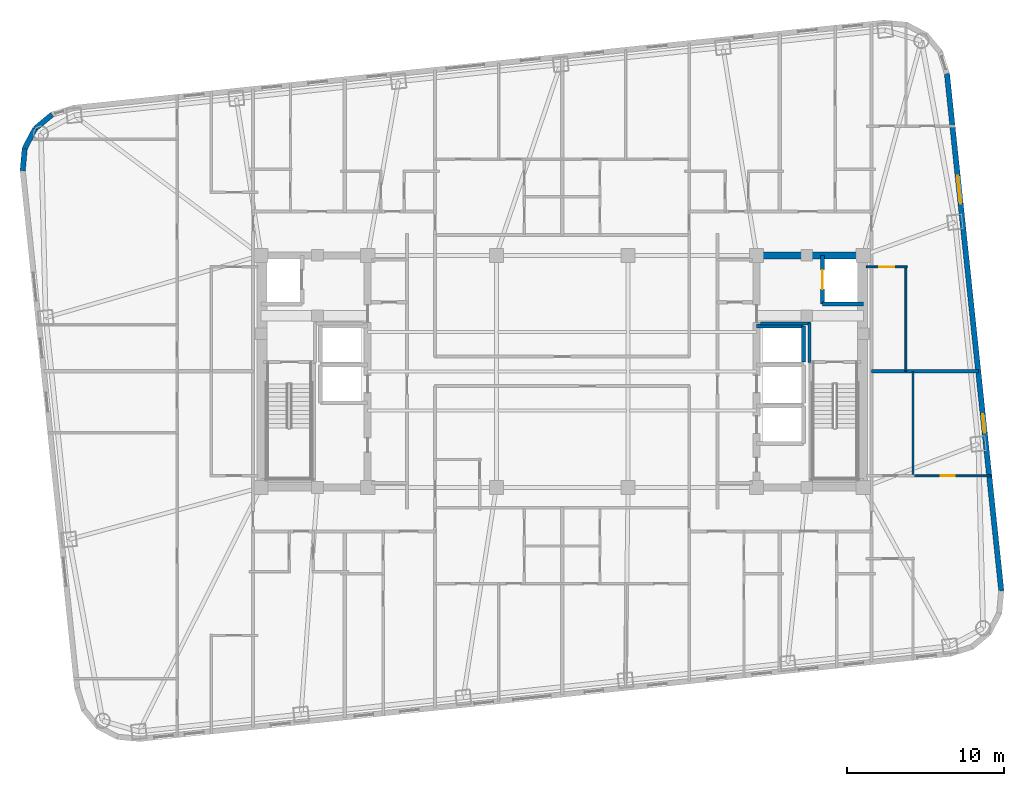
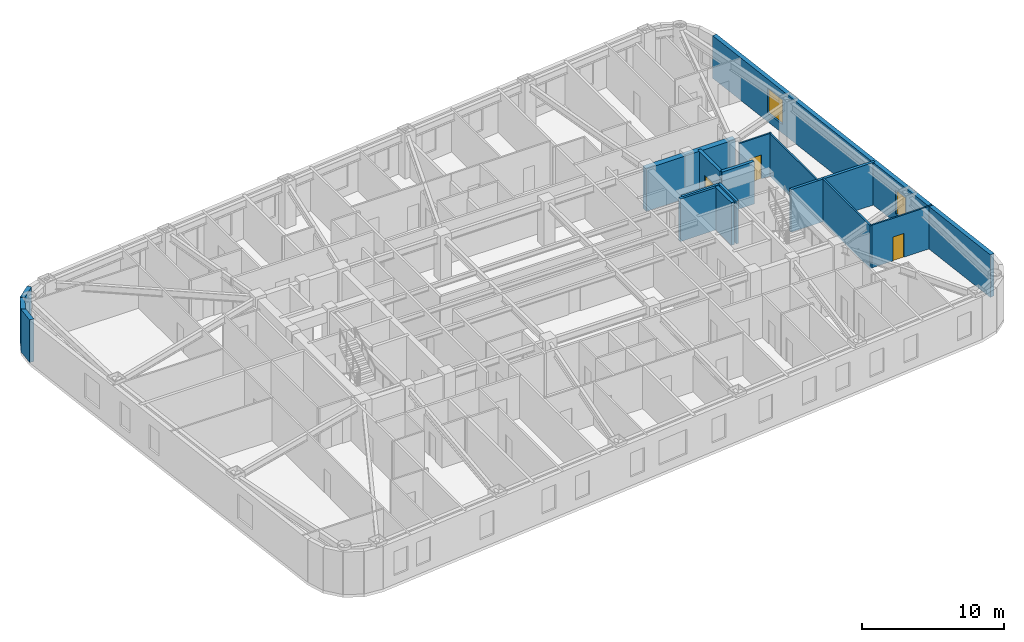
# One storey, part 7 of 12: 16 walls, 3 doors, 2 windows, 5 openings.
"""IFC4 building model written with IfcOpenShell, lengths in metres."""

from ifc_helpers import new_model, si_unit, direction, frame, frame_2d, origin, place, context, subcontext, project, spatial, rectangle, extrude, material, layer, layer_set, type_object, element, fill, save


model = new_model("IFC4")

# Units and contexts
model_context = context("Model", 3, precision=1e-05, world=origin(), true_north=direction((0.0, 1.0)))
body_context = subcontext(model_context, "Body", "Model", "MODEL_VIEW")
ifc_project = project(units=[si_unit("LENGTHUNIT", "METRE"), si_unit("AREAUNIT", "SQUARE_METRE"), si_unit("VOLUMEUNIT", "CUBIC_METRE"), si_unit("PLANEANGLEUNIT", "RADIAN"), si_unit("MASSUNIT", "GRAM", prefix="KILO")], contexts=[model_context])

# Site, building, storey
site_placement = place(None, origin())
site = spatial("IfcSite", under=ifc_project, at=site_placement, CompositionType="ELEMENT")
building_placement = place(site_placement, origin())
building = spatial("IfcBuilding", under=site, at=building_placement, Name="Voryun Gate Residences", CompositionType="ELEMENT")
storey_placement = place(building_placement, frame((0.0, 0.0, 187.199951171875)))
storey = spatial("IfcBuildingStorey", under=building, at=storey_placement, Name="L46", CompositionType="ELEMENT", Elevation=187.199951171875)

# Walls
ifc_material_1 = material(Name="Concrete C50/60", Category="concrete")
ifc_layer_1 = layer(ifc_material_1, 0.449951171875, Name="CW_CORE_450")
ifc_layer_set_1 = layer_set([ifc_layer_1], Name="Concrete C50/60")
wall_type_1 = type_object("IfcWallType", Name="CW_CORE_450", PredefinedType="SHEAR", material=ifc_layer_set_1)
wall_1_placement = place(storey_placement, frame((12.175048828125, 7.39990234375, 0.0), z_axis=(0.0, 0.0, 1.0), x_axis=(1.0, 0.0, 0.0)))
element("IfcWall", 1, at=wall_1_placement, inside=storey, type_object=wall_type_1, Name="L46 Core shear wall CW-L46-EN", PredefinedType="SHEAR", context=body_context, shape_type="SweptSolid", body=[
    extrude(rectangle(XDim=7.25, YDim=0.449951171875, at=frame_2d((3.625, 0.0))), origin(), (0.0, 0.0, 1.0), 3.650146484375),
])
ifc_material_2 = material(Name="Charcoal terracotta masonry", Category="masonry")
ifc_layer_2 = layer(ifc_material_2, 0.340087890625, Name="W_EXT_TERRACOTTA_340")
ifc_layer_set_2 = layer_set([ifc_layer_2], Name="Charcoal terracotta masonry")
wall_type_2 = type_object("IfcWallType", Name="W_EXT_TERRACOTTA_340", PredefinedType="ELEMENTEDWALL", material=ifc_layer_set_2)
wall_2_placement = place(storey_placement, frame((-34.401123046875, 12.795166015625, 0.0), z_axis=(0.0, 0.0, 1.0), x_axis=(0.091534682358, 0.995801888894, 0.0)))
element("IfcWall", 2, at=wall_2_placement, inside=storey, type_object=wall_type_2, Name="Exterior wall WEXT-L46-07", PredefinedType="ELEMENTEDWALL", context=body_context, shape_type="SweptSolid", body=[
    extrude(rectangle(XDim=1.432373046875, YDim=0.340087890625, at=frame_2d((0.71630859375, 0.0))), origin(), (0.0, 0.0, 1.0), 3.650146484375),
])
for number, where, z_axis, x_axis, name in (
    (3, (-34.27001953125, 14.221435546875, 0.0), (0.0, 0.0, 1.0), (0.465682431293, 0.884951904447, 0.0), "Exterior wall WEXT-L46-08"),
    (4, (-33.611083984375, 15.4736328125, 0.0), (0.0, 0.0, 1.0), (0.768843196093, 0.639437361921, 0.0), "Exterior wall WEXT-L46-09"),
):
    element("IfcWall", number, at=place(storey_placement, frame(where, z_axis=z_axis, x_axis=x_axis)), inside=storey, type_object=wall_type_2, Name=name, PredefinedType="ELEMENTEDWALL", context=body_context, shape_type="SweptSolid", body=[
        extrude(rectangle(XDim=1.4150390625, YDim=0.340087890625, at=frame_2d((0.70751953125, 0.0))), origin(), (0.0, 0.0, 1.0), 3.650146484375),
    ])

# Wall, openings, windows
wall_3_placement = place(storey_placement, frame((24.5341796875, 18.989501953125, 0.0), z_axis=(0.0, 0.0, 1.0), x_axis=(0.104534959766, -0.994521212537, 0.0)))
wall_3 = element("IfcWall", 5, at=wall_3_placement, inside=storey, type_object=wall_type_2, Name="Exterior wall WEXT-L46-16", PredefinedType="ELEMENTEDWALL", context=body_context, shape_type="SweptSolid", body=[
    extrude(rectangle(XDim=33.166259765625, YDim=0.340087890625, at=frame_2d((16.5830078125, 0.0))), origin(), (0.0, 0.0, 1.0), 3.650146484375),
])
opening_1_placement = place(wall_3_placement, frame((6.54150390625, 0.0, 0.75)))
opening_1 = element("IfcOpeningElement", 6, at=opening_1_placement, cuts=wall_3, Name="Opening WN1", PredefinedType="OPENING", context=body_context, shape_type="SweptSolid", body=[
    extrude(rectangle(XDim=1.800048828125, YDim=2.10009765625, at=frame_2d((0.89990234375, 1.050048828125))), frame((0.0, 0.179931640625, 0.0), z_axis=(0.0, -1.0, 0.0), x_axis=(1.0, 0.0, 0.0)), (0.0, 0.0, 1.0), 0.360107421875),
])
opening_2_placement = place(wall_3_placement, frame((21.840087890625, 0.0, 0.75)))
opening_2 = element("IfcOpeningElement", 7, at=opening_2_placement, cuts=wall_3, Name="Opening WN6", PredefinedType="OPENING", context=body_context, shape_type="SweptSolid", body=[
    extrude(rectangle(XDim=1.199951171875, YDim=2.050048828125, at=frame_2d((0.60009765625, 1.02490234375))), frame((0.0, 0.179931640625, 0.0), z_axis=(0.0, -1.0, 0.0), x_axis=(1.0, 0.0, 0.0)), (0.0, 0.0, 1.0), 0.360107421875),
])
ifc_material_3 = material(Name="Laminated low-E glass", Category="glass")
window_type_1 = type_object("IfcWindowType", Name="WN_POD_SLOT_1200", PartitioningType="SINGLE_PANEL", PredefinedType="WINDOW", material=ifc_material_3)
window_1_placement = place(opening_2_placement, origin())
window_1 = element("IfcWindow", 8, at=window_1_placement, inside=storey, type_object=window_type_1, Name="Window WN-L46-DWFIX-27", OverallHeight=2.050048828125, OverallWidth=1.199951171875, PartitioningType="SINGLE_PANEL", PredefinedType="WINDOW", context=body_context, shape_type="SweptSolid", body=[
    extrude(rectangle(XDim=1.199951171875, YDim=2.050048828125, at=frame_2d((0.60009765625, 1.02490234375))), frame((0.0, 0.030029296875, 0.0), z_axis=(0.0, -1.0, 0.0), x_axis=(1.0, 0.0, 0.0)), (0.0, 0.0, 1.0), 0.06005859375),
])
fill(opening_2, window_1)
ifc_material_4 = material(Name="Laminated low-E glass", Category="glass")
window_type_2 = type_object("IfcWindowType", Name="WN_RES_PUNCH_1800", PartitioningType="SINGLE_PANEL", PredefinedType="WINDOW", material=ifc_material_4)
window_2_placement = place(opening_1_placement, origin())
window_2 = element("IfcWindow", 9, at=window_2_placement, inside=storey, type_object=window_type_2, Name="Window WN-WEXT-L46-16-01", OverallHeight=2.10009765625, OverallWidth=1.800048828125, PartitioningType="SINGLE_PANEL", PredefinedType="WINDOW", context=body_context, shape_type="SweptSolid", body=[
    extrude(rectangle(XDim=1.800048828125, YDim=2.10009765625, at=frame_2d((0.89990234375, 1.050048828125))), frame((0.0, 0.030029296875, 0.0), z_axis=(0.0, -1.0, 0.0), x_axis=(1.0, 0.0, 0.0)), (0.0, 0.0, 1.0), 0.06005859375),
])
fill(opening_1, window_2)

# Walls
ifc_material_5 = material(Name="Concrete C40/50", Category="concrete")
ifc_layer_3 = layer(ifc_material_5, 0.199951171875, Name="W_FF_LOBBY_200")
ifc_layer_set_3 = layer_set([ifc_layer_3], Name="Concrete C40/50")
wall_type_3 = type_object("IfcWallType", Name="W_FF_LOBBY_200", PredefinedType="PARTITIONING", material=ifc_layer_set_3)
wall_4_placement = place(storey_placement, frame((15.760009765625, 0.580078125, 0.0), z_axis=(0.0, 0.0, 1.0), x_axis=(0.0, 1.0, 0.0)))
element("IfcWall", 10, at=wall_4_placement, inside=storey, type_object=wall_type_3, Name="Partition wall WP-L46-FFP0-E", PredefinedType="PARTITIONING", context=body_context, shape_type="SweptSolid", body=[
    extrude(rectangle(XDim=2.52001953125, YDim=0.199951171875, at=frame_2d((1.260009765625, 0.0))), origin(), (0.0, 0.0, 1.0), 3.650146484375),
])
wall_5_placement = place(storey_placement, frame((12.659912109375, 3.06005859375, 0.0), z_axis=(0.0, 0.0, 1.0), x_axis=(1.0, 0.0, 0.0)))
element("IfcWall", 11, at=wall_5_placement, inside=storey, type_object=wall_type_3, Name="Partition wall WP-L46-FFPS-E", PredefinedType="PARTITIONING", context=body_context, shape_type="SweptSolid", body=[
    extrude(rectangle(XDim=3.16015625, YDim=0.199951171875, at=frame_2d((1.580078125, 0.0))), origin(), (0.0, 0.0, 1.0), 3.650146484375),
])
ifc_material_6 = material(Name="Concrete C40/50", Category="concrete")
ifc_layer_4 = layer(ifc_material_6, 0.219970703125, Name="W_PARTY_ACOUSTIC_220")
ifc_layer_set_4 = layer_set([ifc_layer_4], Name="Concrete C40/50")
wall_type_4 = type_object("IfcWallType", Name="W_PARTY_ACOUSTIC_220", PredefinedType="PARTITIONING", material=ifc_layer_set_4)
wall_6_placement = place(storey_placement, frame((19.719970703125, 0.0, 0.0), z_axis=(0.0, 0.0, 1.0), x_axis=(1.0, 0.0, 0.0)))
element("IfcWall", 12, at=wall_6_placement, inside=storey, type_object=wall_type_4, Name="Partition wall WP-L46-EPTY", PredefinedType="PARTITIONING", context=body_context, shape_type="SweptSolid", body=[
    extrude(rectangle(XDim=6.81005859375, YDim=0.219970703125, at=frame_2d((3.405029296875, 0.0))), origin(), (0.0, 0.0, 1.0), 3.650146484375),
])
ifc_material_7 = material(Name="Concrete C50/60", Category="concrete")
ifc_layer_5 = layer(ifc_material_7, 0.25, Name="W_SHAFT_RC250")
ifc_layer_set_5 = layer_set([ifc_layer_5], Name="Concrete C50/60")
wall_type_5 = type_object("IfcWallType", Name="W_SHAFT_RC250", PredefinedType="SOLIDWALL", material=ifc_layer_set_5)
wall_7_placement = place(storey_placement, frame((16.60009765625, 4.300048828125, 0.0), z_axis=(0.0, 0.0, 1.0), x_axis=(1.0, 0.0, 0.0)))
element("IfcWall", 13, at=wall_7_placement, inside=storey, type_object=wall_type_5, Name="Lift shaft wall WSH-L46-EL-FF-E1-S", PredefinedType="SOLIDWALL", context=body_context, shape_type="SweptSolid", body=[
    extrude(rectangle(XDim=2.599853515625, YDim=0.25, at=frame_2d((1.2998046875, 0.0))), origin(), (0.0, 0.0, 1.0), 3.650146484375),
])

# Wall, opening, door
wall_8_placement = place(storey_placement, frame((16.60009765625, 7.39990234375, 0.0), z_axis=(0.0, 0.0, 1.0), x_axis=(0.0, -1.0, 0.0)))
wall_8 = element("IfcWall", 14, at=wall_8_placement, inside=storey, type_object=wall_type_5, Name="Lift shaft wall WSH-L46-EL-FF-E1-W", PredefinedType="SOLIDWALL", context=body_context, shape_type="SweptSolid", body=[
    extrude(rectangle(XDim=3.099853515625, YDim=0.25, at=frame_2d((1.5498046875, 0.0))), origin(), (0.0, 0.0, 1.0), 3.650146484375),
])
opening_3_placement = place(wall_8_placement, frame((0.949951171875, 0.0, 0.0)))
opening_3 = element("IfcOpeningElement", 15, at=opening_3_placement, cuts=wall_8, Name="Opening LD1", PredefinedType="OPENING", context=body_context, shape_type="SweptSolid", body=[
    extrude(rectangle(XDim=1.199951171875, YDim=2.050048828125, at=frame_2d((0.60009765625, 1.02490234375))), frame((0.0, 0.135009765625, 0.0), z_axis=(0.0, -1.0, 0.0), x_axis=(1.0, 0.0, 0.0)), (0.0, 0.0, 1.0), 0.27001953125),
])
ifc_material_8 = material(Name="Anodised aluminium", Category="aluminium")
door_type_1 = type_object("IfcDoorType", Name="DR_LD_FF_1200", OperationType="NOTDEFINED", PredefinedType="DOOR", material=ifc_material_8)
door_1_placement = place(opening_3_placement, origin())
door_1 = element("IfcDoor", 16, at=door_1_placement, inside=storey, type_object=door_type_1, Name="Lift EL-FF-E1 sliding landing door L46", OperationType="SLIDING_TO_LEFT", OverallHeight=2.050048828125, OverallWidth=1.199951171875, PredefinedType="DOOR", context=body_context, shape_type="SweptSolid", body=[
    extrude(rectangle(XDim=1.199951171875, YDim=2.050048828125, at=frame_2d((0.60009765625, 1.02490234375))), frame((0.0, 0.02490234375, 0.0), z_axis=(0.0, -1.0, 0.0), x_axis=(1.0, 0.0, 0.0)), (0.0, 0.0, 1.0), 0.050048828125),
])
fill(opening_3, door_1)

# Walls
wall_9_placement = place(storey_placement, frame((15.39990234375, 0.60009765625, 0.0), z_axis=(0.0, 0.0, 1.0), x_axis=(0.0, 1.0, 0.0)))
element("IfcWall", 17, at=wall_9_placement, inside=storey, type_object=wall_type_5, Name="Lift shaft wall WSH-L46-EL-P8-E", PredefinedType="SOLIDWALL", context=body_context, shape_type="SweptSolid", body=[
    extrude(rectangle(XDim=2.2998046875, YDim=0.25, at=frame_2d((1.14990234375, 0.0))), origin(), (0.0, 0.0, 1.0), 3.650146484375),
])
wall_10_placement = place(storey_placement, frame((15.39990234375, 2.89990234375, 0.0), z_axis=(0.0, 0.0, 1.0), x_axis=(-1.0, 0.0, 0.0)))
element("IfcWall", 18, at=wall_10_placement, inside=storey, type_object=wall_type_5, Name="Lift shaft wall WSH-L46-EL-P8-N", PredefinedType="SOLIDWALL", context=body_context, shape_type="SweptSolid", body=[
    extrude(rectangle(XDim=3.0, YDim=0.25, at=frame_2d((1.5, 0.0))), origin(), (0.0, 0.0, 1.0), 3.650146484375),
])

# Wall, opening, door
ifc_material_9 = material(Name="Gypsum acoustic partition")
ifc_layer_6 = layer(ifc_material_9, 0.125, Name="W_UNIT_PART_125")
ifc_layer_set_6 = layer_set([ifc_layer_6], Name="Gypsum acoustic partition")
wall_type_6 = type_object("IfcWallType", Name="W_UNIT_PART_125", PredefinedType="PARTITIONING", material=ifc_layer_set_6)
wall_11_placement = place(storey_placement, frame((22.31005859375, -6.659912109375, 0.0), z_axis=(0.0, 0.0, 1.0), x_axis=(1.0, 0.0, 0.0)))
wall_11 = element("IfcWall", 19, at=wall_11_placement, inside=storey, type_object=wall_type_6, Name="Partition wall WP-L46-E1-OHZ", PredefinedType="PARTITIONING", context=body_context, shape_type="SweptSolid", body=[
    extrude(rectangle(XDim=5.071044921875, YDim=0.125, at=frame_2d((2.53564453125, 0.0))), origin(), (0.0, 0.0, 1.0), 3.650146484375),
])
opening_4_placement = place(wall_11_placement, frame((1.83203125, 0.0, 0.0)))
opening_4 = element("IfcOpeningElement", 20, at=opening_4_placement, cuts=wall_11, Name="Opening D-INT-2", PredefinedType="OPENING", context=body_context, shape_type="SweptSolid", body=[
    extrude(rectangle(XDim=0.89990234375, YDim=2.050048828125, at=frame_2d((0.449951171875, 1.02490234375))), frame((0.0, 0.072509765625, 0.0), z_axis=(0.0, -1.0, 0.0), x_axis=(1.0, 0.0, 0.0)), (0.0, 0.0, 1.0), 0.14501953125),
])
ifc_material_10 = material(Name="Architectural oak veneer")
door_type_2 = type_object("IfcDoorType", Name="DR_INT_BATH_900", OperationType="NOTDEFINED", PredefinedType="DOOR", material=ifc_material_10)
door_2_placement = place(opening_4_placement, origin())
door_2 = element("IfcDoor", 21, at=door_2_placement, inside=storey, type_object=door_type_2, Name="Door DR-L46-E1-DMB", OperationType="SINGLE_SWING_LEFT", OverallHeight=2.050048828125, OverallWidth=0.89990234375, PredefinedType="DOOR", context=body_context, shape_type="SweptSolid", body=[
    extrude(rectangle(XDim=0.89990234375, YDim=2.050048828125, at=frame_2d((0.449951171875, 1.02490234375))), frame((0.0, 0.02490234375, 0.0), z_axis=(0.0, -1.0, 0.0), x_axis=(1.0, 0.0, 0.0)), (0.0, 0.0, 1.0), 0.050048828125),
])
fill(opening_4, door_2)

wall_12_placement = place(storey_placement, frame((19.39990234375, 6.659912109375, 0.0), z_axis=(0.0, 0.0, 1.0), x_axis=(1.0, 0.0, 0.0)))
wall_12 = element("IfcWall", 22, at=wall_12_placement, inside=storey, type_object=wall_type_6, Name="Partition wall WP-L46-E2-IKA", PredefinedType="PARTITIONING", context=body_context, shape_type="SweptSolid", body=[
    extrude(rectangle(XDim=2.60009765625, YDim=0.125, at=frame_2d((1.300048828125, 0.0))), origin(), (0.0, 0.0, 1.0), 3.650146484375),
])
opening_5_placement = place(wall_12_placement, frame((0.824951171875, 0.0, 0.0)))
opening_5 = element("IfcOpeningElement", 23, at=opening_5_placement, cuts=wall_12, Name="Opening D-INT-1", PredefinedType="OPENING", context=body_context, shape_type="SweptSolid", body=[
    extrude(rectangle(XDim=0.949951171875, YDim=2.050048828125, at=frame_2d((0.47509765625, 1.02490234375))), frame((0.0, 0.072509765625, 0.0), z_axis=(0.0, -1.0, 0.0), x_axis=(1.0, 0.0, 0.0)), (0.0, 0.0, 1.0), 0.14501953125),
])
ifc_material_11 = material(Name="Architectural oak veneer")
door_type_3 = type_object("IfcDoorType", Name="DR_INT_ROOM_950", OperationType="NOTDEFINED", PredefinedType="DOOR", material=ifc_material_11)
door_3_placement = place(opening_5_placement, origin())
door_3 = element("IfcDoor", 24, at=door_3_placement, inside=storey, type_object=door_type_3, Name="Door DR-L46-E2-DK", OperationType="SINGLE_SWING_LEFT", OverallHeight=2.050048828125, OverallWidth=0.949951171875, PredefinedType="DOOR", context=body_context, shape_type="SweptSolid", body=[
    extrude(rectangle(XDim=0.949951171875, YDim=2.050048828125, at=frame_2d((0.47509765625, 1.02490234375))), frame((0.0, 0.02490234375, 0.0), z_axis=(0.0, -1.0, 0.0), x_axis=(1.0, 0.0, 0.0)), (0.0, 0.0, 1.0), 0.050048828125),
])
fill(opening_5, door_3)

# Walls
wall_13_placement = place(storey_placement, frame((21.919921875, 0.02001953125, 0.0), z_axis=(0.0, 0.0, 1.0), x_axis=(0.0, 1.0, 0.0)))
element("IfcWall", 25, at=wall_13_placement, inside=storey, type_object=wall_type_6, Name="Partition wall WP-L46-E2-VTA", PredefinedType="PARTITIONING", context=body_context, shape_type="SweptSolid", body=[
    extrude(rectangle(XDim=6.719970703125, YDim=0.125, at=frame_2d((3.35986328125, 0.0))), origin(), (0.0, 0.0, 1.0), 3.650146484375),
])
ifc_material_12 = material(Name="Gypsum moisture-resistant partition")
ifc_layer_7 = layer(ifc_material_12, 0.14990234375, Name="W_WET_PLUMB_150")
ifc_layer_set_7 = layer_set([ifc_layer_7], Name="Gypsum moisture-resistant partition")
wall_type_7 = type_object("IfcWallType", Name="W_WET_PLUMB_150", PredefinedType="PLUMBINGWALL", material=ifc_layer_set_7)
wall_14_placement = place(storey_placement, frame((22.3701171875, -6.739990234375, 0.0), z_axis=(0.0, 0.0, 1.0), x_axis=(0.0, 1.0, 0.0)))
element("IfcWall", 26, at=wall_14_placement, inside=storey, type_object=wall_type_7, Name="Partition wall WP-L46-E1-VTB", PredefinedType="PLUMBINGWALL", context=body_context, shape_type="SweptSolid", body=[
    extrude(rectangle(XDim=6.719970703125, YDim=0.14990234375, at=frame_2d((3.35986328125, 0.0))), origin(), (0.0, 0.0, 1.0), 3.650146484375),
])

save(model, "model.ifc")
